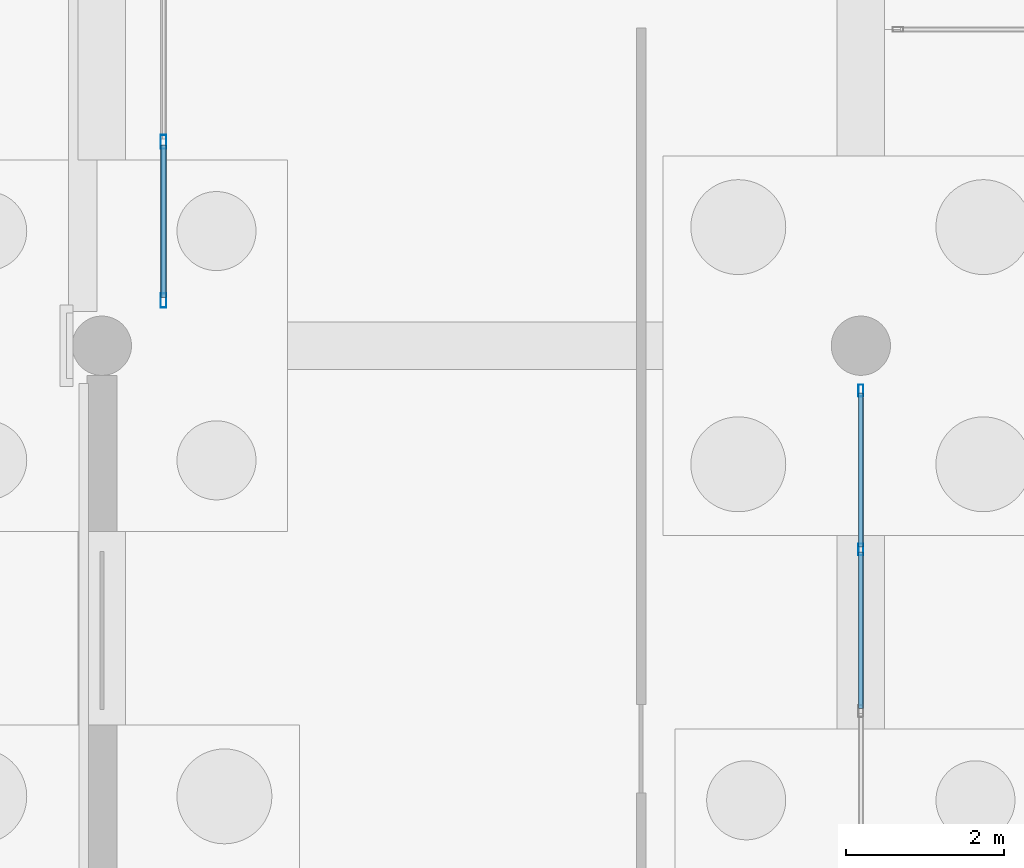
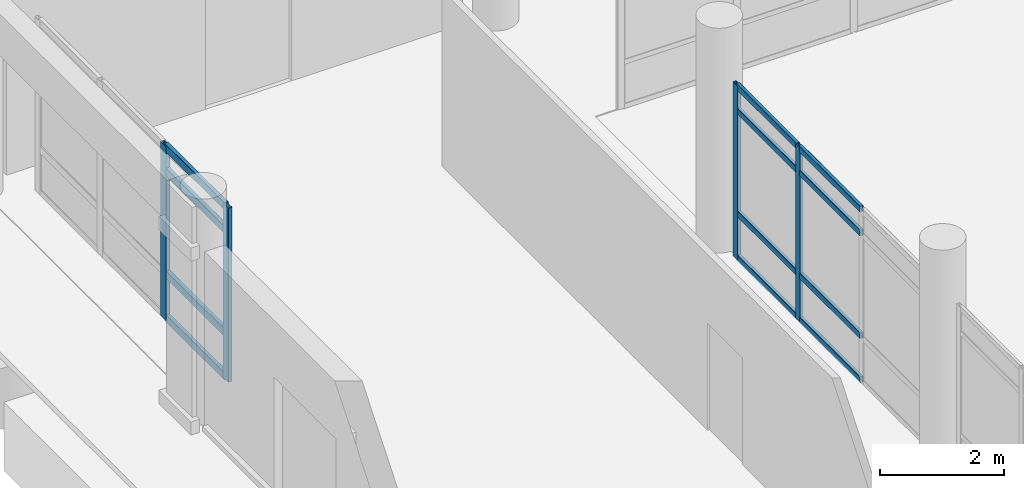
# One storey, part 92 of 196: 16 members, 2 elements without a shape of their own.
"""IFC4 building model written with IfcOpenShell, lengths in metres."""

from ifc_helpers import new_model, si_unit, direction, frame, origin, origin_2d, place, context, subcontext, project, spatial, hollow_rectangle, extrude, material, layer, layer_set, material_profile, profile_set, type_object, element, aggregate, save


model = new_model("IFC4")

# Units and contexts
model_context = context("Model", 3, precision=1e-05, world=origin(), true_north=direction((0.0, 1.0)))
body_context = subcontext(model_context, "Body", "Model", "MODEL_VIEW")
ifc_project = project(units=[si_unit("LENGTHUNIT", "METRE"), si_unit("AREAUNIT", "SQUARE_METRE"), si_unit("VOLUMEUNIT", "CUBIC_METRE"), si_unit("PLANEANGLEUNIT", "RADIAN"), si_unit("MASSUNIT", "GRAM", prefix="KILO")], contexts=[model_context])

# Site, building, storey
site_placement = place(None, origin())
site = spatial("IfcSite", under=ifc_project, at=site_placement, CompositionType="ELEMENT")
building_placement = place(site_placement, origin())
building = spatial("IfcBuilding", under=site, at=building_placement, Name="Asteropetra Specialist Clinic", CompositionType="ELEMENT")
storey_placement = place(building_placement, origin())
storey = spatial("IfcBuildingStorey", under=building, at=storey_placement, Name="L00", CompositionType="ELEMENT", Elevation=0.0)

# Curtain wall, members
ifc_material_1 = material(Name="Aluminium and low-E glass", Category="aluminium")
ifc_layer_1 = layer(ifc_material_1, 0.14990234375)
ifc_layer_set_1 = layer_set([ifc_layer_1], Name="Aluminium and low-E glass")
curtain_wall_type_1 = type_object("IfcCurtainWallType", Name="CW-SYS-05", PredefinedType="USERDEFINED", material=ifc_layer_set_1)
curtain_wall_1_placement = place(storey_placement, origin())
curtain_wall_1 = element("IfcCurtainWall", 1, at=curtain_wall_1_placement, inside=storey, type_object=curtain_wall_type_1, Name="Curtain Wall CW-007", ObjectType="UNITISED CURTAIN WALL", PredefinedType="USERDEFINED")
ifc_material_2 = material(Name="Aluminium 6063-T6", Category="aluminium")
ifc_material_profile_1 = material_profile(ifc_material_2, hollow_rectangle(XDim=0.06494140625, YDim=0.14990234375, WallThickness=0.00390625, InnerFilletRadius=0.00390625, OuterFilletRadius=0.008056640625, at=origin_2d()), Name="MUL 150x65x4.0")
ifc_profile_set_1 = profile_set([ifc_material_profile_1], Name="Aluminium 6063-T6")
member_type_1 = type_object("IfcMemberType", Name="CWM-150x65", PredefinedType="MULLION", material=ifc_profile_set_1)
member_1_placement = place(storey_placement, frame((9.60009765625, 90.632568359375, 0.0), z_axis=(0.0, 0.0, 1.0), x_axis=(1.0, 0.0, 0.0)))
member_1 = element("IfcMember", 2, at=member_1_placement, type_object=member_type_1, Name="CW-007 mullion 1", PredefinedType="MULLION", context=body_context, shape_type="SweptSolid", body=[
    extrude(hollow_rectangle(XDim=0.06494140625, YDim=0.14990234375, WallThickness=0.00390625, InnerFilletRadius=0.00390625, OuterFilletRadius=0.008056640625, at=origin_2d()), origin(), (0.0, 0.0, 1.0), 3.419921875),
])
member_2_placement = place(storey_placement, frame((9.60009765625, 88.62158203125, 0.0), z_axis=(0.0, 0.0, 1.0), x_axis=(1.0, 0.0, 0.0)))
member_2 = element("IfcMember", 3, at=member_2_placement, type_object=member_type_1, Name="CW-007 mullion 2", PredefinedType="MULLION", context=body_context, shape_type="SweptSolid", body=[
    extrude(hollow_rectangle(XDim=0.06494140625, YDim=0.14990234375, WallThickness=0.00390625, InnerFilletRadius=0.00390625, OuterFilletRadius=0.008056640625, at=origin_2d()), origin(), (0.0, 0.0, 1.0), 3.419921875),
])

ifc_material_3 = material(Name="Aluminium and low-E glass", Category="aluminium")
ifc_layer_2 = layer(ifc_material_3, 0.179931640625)
ifc_layer_set_2 = layer_set([ifc_layer_2], Name="Aluminium and low-E glass")
curtain_wall_type_2 = type_object("IfcCurtainWallType", Name="CW-SYS-01", PredefinedType="USERDEFINED", material=ifc_layer_set_2)
curtain_wall_2_placement = place(storey_placement, origin())
curtain_wall_2 = element("IfcCurtainWall", 4, at=curtain_wall_2_placement, inside=storey, type_object=curtain_wall_type_2, Name="Curtain Wall CW-189", ObjectType="UNITISED CURTAIN WALL", PredefinedType="USERDEFINED")
ifc_material_4 = material(Name="Aluminium 6063-T6", Category="aluminium")
ifc_material_profile_2 = material_profile(ifc_material_4, hollow_rectangle(XDim=0.074951171875, YDim=0.179931640625, WallThickness=0.00390625, InnerFilletRadius=0.00390625, OuterFilletRadius=0.008056640625, at=origin_2d()), Name="MUL 180x75x4.0")
ifc_profile_set_2 = profile_set([ifc_material_profile_2], Name="Aluminium 6063-T6")
member_type_2 = type_object("IfcMemberType", Name="CWM-180x75", PredefinedType="MULLION", material=ifc_profile_set_2)
member_3_placement = place(storey_placement, frame((0.780029296875, 93.7783203125, 0.0), z_axis=(0.0, 0.0, 1.0), x_axis=(1.0, 0.0, 0.0)))
member_3 = element("IfcMember", 5, at=member_3_placement, type_object=member_type_2, Name="CW-189 mullion 3", PredefinedType="MULLION", context=body_context, shape_type="SweptSolid", body=[
    extrude(hollow_rectangle(XDim=0.074951171875, YDim=0.179931640625, WallThickness=0.00390625, InnerFilletRadius=0.00390625, OuterFilletRadius=0.008056640625, at=origin_2d()), origin(), (0.0, 0.0, 1.0), 3.419921875),
])
member_4_placement = place(storey_placement, frame((0.780029296875, 91.7724609375, 0.0), z_axis=(0.0, 0.0, 1.0), x_axis=(1.0, 0.0, 0.0)))
member_4 = element("IfcMember", 6, at=member_4_placement, type_object=member_type_2, Name="CW-189 mullion 4", PredefinedType="MULLION", context=body_context, shape_type="SweptSolid", body=[
    extrude(hollow_rectangle(XDim=0.074951171875, YDim=0.179931640625, WallThickness=0.00390625, InnerFilletRadius=0.00390625, OuterFilletRadius=0.008056640625, at=origin_2d()), origin(), (0.0, 0.0, 1.0), 3.419921875),
])

# Member
ifc_material_5 = material(Name="Aluminium 6063-T6", Category="aluminium")
ifc_material_profile_3 = material_profile(ifc_material_5, hollow_rectangle(XDim=0.06494140625, YDim=0.1201171875, WallThickness=0.00390625, InnerFilletRadius=0.00390625, OuterFilletRadius=0.008056640625, at=origin_2d()), Name="TRN 120x65x4.0")
ifc_profile_set_3 = profile_set([ifc_material_profile_3], Name="Aluminium 6063-T6")
member_type_3 = type_object("IfcMemberType", Name="CWT-120x65", PredefinedType="USERDEFINED", material=ifc_profile_set_3)
member_5_placement = place(storey_placement, frame((9.60009765625, 90.60009765625, 0.032470703125), z_axis=(0.0, -1.0, 0.0), x_axis=(1.0, 0.0, 0.0)))
member_5 = element("IfcMember", 7, at=member_5_placement, type_object=member_type_3, Name="CW-007 transom 1.1", ObjectType="TRANSOM", PredefinedType="USERDEFINED", context=body_context, shape_type="SweptSolid", body=[
    extrude(hollow_rectangle(XDim=0.06494140625, YDim=0.1201171875, WallThickness=0.00390625, InnerFilletRadius=0.00390625, OuterFilletRadius=0.008056640625, at=origin_2d()), origin(), (0.0, 0.0, 1.0), 1.946044921875),
])

member_6_placement = place(storey_placement, frame((9.60009765625, 90.60009765625, 0.89990234375), z_axis=(0.0, -1.0, 0.0), x_axis=(1.0, 0.0, 0.0)))
member_6 = element("IfcMember", 8, at=member_6_placement, type_object=member_type_3, Name="CW-007 transom 1.2", ObjectType="TRANSOM", PredefinedType="USERDEFINED", context=body_context, shape_type="SweptSolid", body=[
    extrude(hollow_rectangle(XDim=0.06494140625, YDim=0.1201171875, WallThickness=0.00390625, InnerFilletRadius=0.00390625, OuterFilletRadius=0.008056640625, at=origin_2d()), origin(), (0.0, 0.0, 1.0), 1.946044921875),
])

member_7_placement = place(storey_placement, frame((9.60009765625, 90.60009765625, 2.919921875), z_axis=(0.0, -1.0, 0.0), x_axis=(1.0, 0.0, 0.0)))
member_7 = element("IfcMember", 9, at=member_7_placement, type_object=member_type_3, Name="CW-007 transom 1.3", ObjectType="TRANSOM", PredefinedType="USERDEFINED", context=body_context, shape_type="SweptSolid", body=[
    extrude(hollow_rectangle(XDim=0.06494140625, YDim=0.1201171875, WallThickness=0.00390625, InnerFilletRadius=0.00390625, OuterFilletRadius=0.008056640625, at=origin_2d()), origin(), (0.0, 0.0, 1.0), 1.946044921875),
])

member_8_placement = place(storey_placement, frame((9.60009765625, 90.60009765625, 3.387451171875), z_axis=(0.0, -1.0, 0.0), x_axis=(1.0, 0.0, 0.0)))
member_8 = element("IfcMember", 10, at=member_8_placement, type_object=member_type_3, Name="CW-007 transom 1.4", ObjectType="TRANSOM", PredefinedType="USERDEFINED", context=body_context, shape_type="SweptSolid", body=[
    extrude(hollow_rectangle(XDim=0.06494140625, YDim=0.1201171875, WallThickness=0.00390625, InnerFilletRadius=0.00390625, OuterFilletRadius=0.008056640625, at=origin_2d()), origin(), (0.0, 0.0, 1.0), 1.946044921875),
])

member_9_placement = place(storey_placement, frame((9.60009765625, 88.589111328125, 0.032470703125), z_axis=(0.0, -1.0, 0.0), x_axis=(1.0, 0.0, 0.0)))
member_9 = element("IfcMember", 11, at=member_9_placement, type_object=member_type_3, Name="CW-007 transom 2.1", ObjectType="TRANSOM", PredefinedType="USERDEFINED", context=body_context, shape_type="SweptSolid", body=[
    extrude(hollow_rectangle(XDim=0.06494140625, YDim=0.1201171875, WallThickness=0.00390625, InnerFilletRadius=0.00390625, OuterFilletRadius=0.008056640625, at=origin_2d()), origin(), (0.0, 0.0, 1.0), 1.978271484375),
])

member_10_placement = place(storey_placement, frame((9.60009765625, 88.589111328125, 0.89990234375), z_axis=(0.0, -1.0, 0.0), x_axis=(1.0, 0.0, 0.0)))
member_10 = element("IfcMember", 12, at=member_10_placement, type_object=member_type_3, Name="CW-007 transom 2.2", ObjectType="TRANSOM", PredefinedType="USERDEFINED", context=body_context, shape_type="SweptSolid", body=[
    extrude(hollow_rectangle(XDim=0.06494140625, YDim=0.1201171875, WallThickness=0.00390625, InnerFilletRadius=0.00390625, OuterFilletRadius=0.008056640625, at=origin_2d()), origin(), (0.0, 0.0, 1.0), 1.978271484375),
])

member_11_placement = place(storey_placement, frame((9.60009765625, 88.589111328125, 2.919921875), z_axis=(0.0, -1.0, 0.0), x_axis=(1.0, 0.0, 0.0)))
member_11 = element("IfcMember", 13, at=member_11_placement, type_object=member_type_3, Name="CW-007 transom 2.3", ObjectType="TRANSOM", PredefinedType="USERDEFINED", context=body_context, shape_type="SweptSolid", body=[
    extrude(hollow_rectangle(XDim=0.06494140625, YDim=0.1201171875, WallThickness=0.00390625, InnerFilletRadius=0.00390625, OuterFilletRadius=0.008056640625, at=origin_2d()), origin(), (0.0, 0.0, 1.0), 1.978271484375),
])

member_12_placement = place(storey_placement, frame((9.60009765625, 88.589111328125, 3.387451171875), z_axis=(0.0, -1.0, 0.0), x_axis=(1.0, 0.0, 0.0)))
member_12 = element("IfcMember", 14, at=member_12_placement, type_object=member_type_3, Name="CW-007 transom 2.4", ObjectType="TRANSOM", PredefinedType="USERDEFINED", context=body_context, shape_type="SweptSolid", body=[
    extrude(hollow_rectangle(XDim=0.06494140625, YDim=0.1201171875, WallThickness=0.00390625, InnerFilletRadius=0.00390625, OuterFilletRadius=0.008056640625, at=origin_2d()), origin(), (0.0, 0.0, 1.0), 1.978271484375),
])

aggregate(curtain_wall_1, [member_1, member_2, member_5, member_6, member_7, member_8, member_9, member_10, member_11, member_12])

ifc_material_6 = material(Name="Aluminium 6063-T6", Category="aluminium")
ifc_material_profile_4 = material_profile(ifc_material_6, hollow_rectangle(XDim=0.074951171875, YDim=0.14990234375, WallThickness=0.00390625, InnerFilletRadius=0.00390625, OuterFilletRadius=0.008056640625, at=origin_2d()), Name="TRN 150x75x4.0")
ifc_profile_set_4 = profile_set([ifc_material_profile_4], Name="Aluminium 6063-T6")
member_type_4 = type_object("IfcMemberType", Name="CWT-150x75", PredefinedType="USERDEFINED", material=ifc_profile_set_4)
member_13_placement = place(storey_placement, frame((0.780029296875, 93.74072265625, 0.03759765625), z_axis=(0.0, -1.0, 0.0), x_axis=(1.0, 0.0, 0.0)))
member_13 = element("IfcMember", 15, at=member_13_placement, type_object=member_type_4, Name="CW-189 transom 3.1", ObjectType="TRANSOM", PredefinedType="USERDEFINED", context=body_context, shape_type="SweptSolid", body=[
    extrude(hollow_rectangle(XDim=0.074951171875, YDim=0.14990234375, WallThickness=0.00390625, InnerFilletRadius=0.00390625, OuterFilletRadius=0.008056640625, at=origin_2d()), origin(), (0.0, 0.0, 1.0), 1.9306640625),
])

member_14_placement = place(storey_placement, frame((0.780029296875, 93.74072265625, 0.89990234375), z_axis=(0.0, -1.0, 0.0), x_axis=(1.0, 0.0, 0.0)))
member_14 = element("IfcMember", 16, at=member_14_placement, type_object=member_type_4, Name="CW-189 transom 3.2", ObjectType="TRANSOM", PredefinedType="USERDEFINED", context=body_context, shape_type="SweptSolid", body=[
    extrude(hollow_rectangle(XDim=0.074951171875, YDim=0.14990234375, WallThickness=0.00390625, InnerFilletRadius=0.00390625, OuterFilletRadius=0.008056640625, at=origin_2d()), origin(), (0.0, 0.0, 1.0), 1.9306640625),
])

member_15_placement = place(storey_placement, frame((0.780029296875, 93.74072265625, 2.919921875), z_axis=(0.0, -1.0, 0.0), x_axis=(1.0, 0.0, 0.0)))
member_15 = element("IfcMember", 17, at=member_15_placement, type_object=member_type_4, Name="CW-189 transom 3.3", ObjectType="TRANSOM", PredefinedType="USERDEFINED", context=body_context, shape_type="SweptSolid", body=[
    extrude(hollow_rectangle(XDim=0.074951171875, YDim=0.14990234375, WallThickness=0.00390625, InnerFilletRadius=0.00390625, OuterFilletRadius=0.008056640625, at=origin_2d()), origin(), (0.0, 0.0, 1.0), 1.9306640625),
])

member_16_placement = place(storey_placement, frame((0.780029296875, 93.74072265625, 3.382568359375), z_axis=(0.0, -1.0, 0.0), x_axis=(1.0, 0.0, 0.0)))
member_16 = element("IfcMember", 18, at=member_16_placement, type_object=member_type_4, Name="CW-189 transom 3.4", ObjectType="TRANSOM", PredefinedType="USERDEFINED", context=body_context, shape_type="SweptSolid", body=[
    extrude(hollow_rectangle(XDim=0.074951171875, YDim=0.14990234375, WallThickness=0.00390625, InnerFilletRadius=0.00390625, OuterFilletRadius=0.008056640625, at=origin_2d()), origin(), (0.0, 0.0, 1.0), 1.9306640625),
])

aggregate(curtain_wall_2, [member_3, member_4, member_13, member_14, member_15, member_16])

save(model, "model.ifc")
